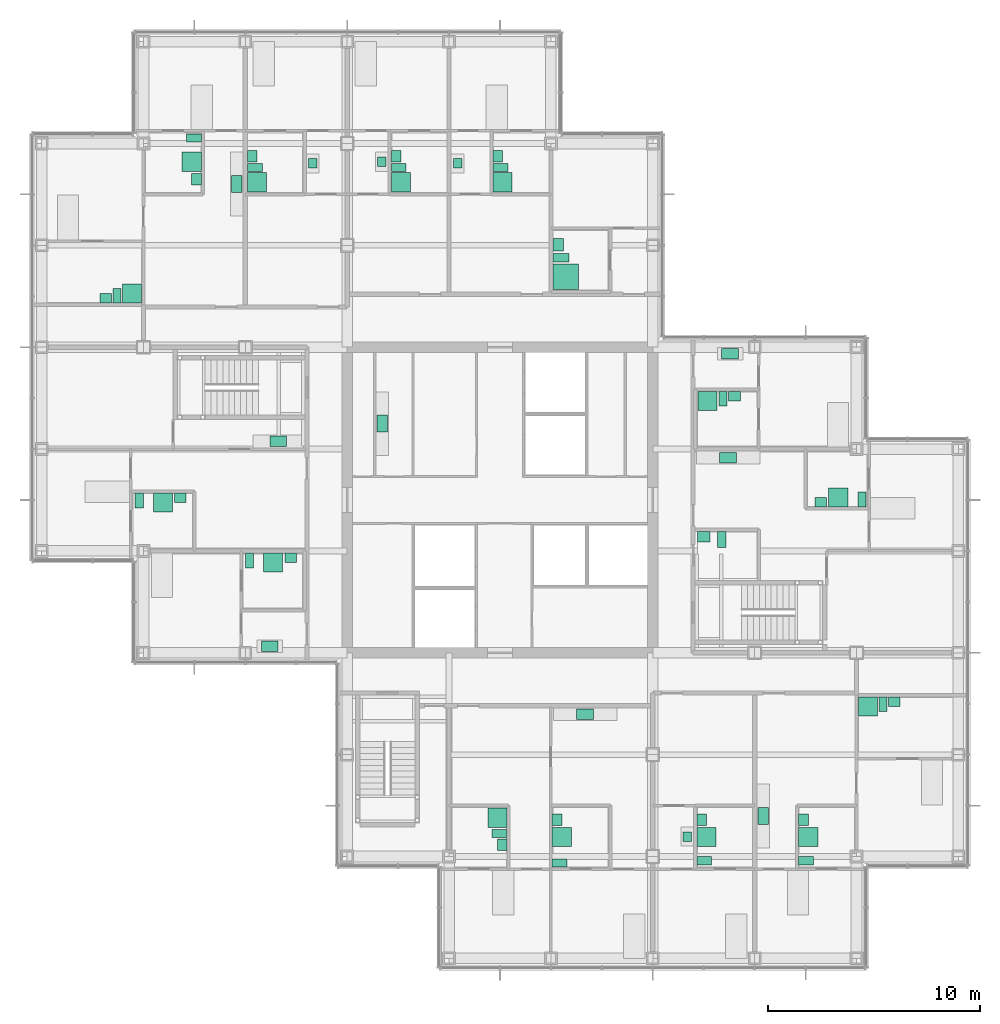
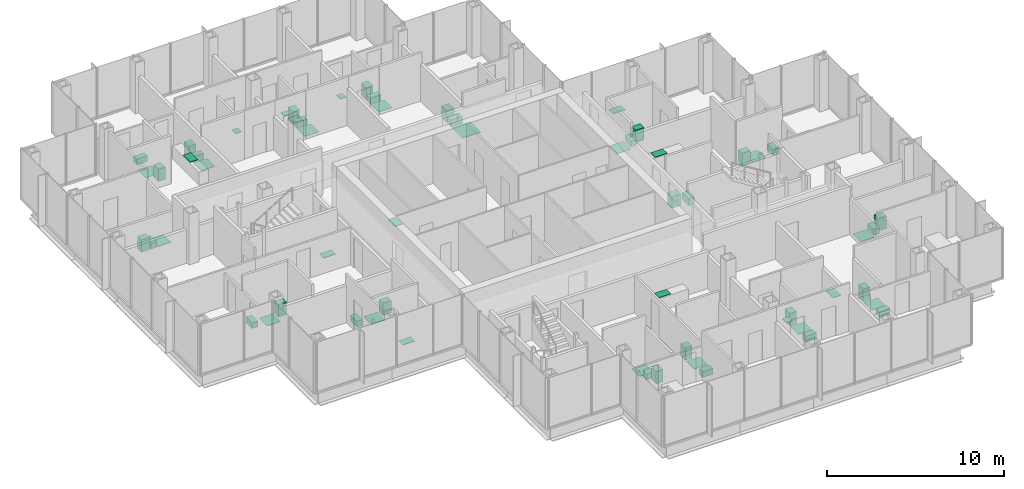
# One storey, part 19 of 20: 59 sanitary terminals.
"""IFC4 building model written with IfcOpenShell, lengths in metres."""

import ifcopenshell
import ifcopenshell.guid

model = None  # the IFC model being written
_history = None  # IfcOwnerHistory: only IFC2X3 demands one
_inside = {}  # id of a spatial element -> (the spatial element, [elements in it])
_under = {}  # id of a project, library or spatial element -> (it, [spatial elements below it])
_declared = {}  # id of a project -> (the project, [libraries it declares])
_typed = {}  # id of a type object -> (the type object, [elements of that type])
_made_of = {}  # id of a material, layer set ... -> (it, [elements and type objects made of it])


def new_model(schema):
    """Start an empty IFC model of exactly this schema.

    Asked for "IFC4X3", IfcOpenShell would pick the latest addendum, in which some entities
    have other attributes; the version numbers below select the first issue.
    IFC2X3 requires an IfcOwnerHistory on every rooted entity: one is made here for all.
    """
    global model, _history
    if schema == "IFC4X3":
        model = ifcopenshell.file(schema_version=(4, 3, 0, 0))
    else:
        model = ifcopenshell.file(schema=schema)
    _inside.clear()
    _under.clear()
    _declared.clear()
    _typed.clear()
    _made_of.clear()
    _history = None
    if model.schema == "IFC2X3":
        org = make("IfcOrganization", Name="unknown")
        user = make(
            "IfcPersonAndOrganization",
            ThePerson=make("IfcPerson", FamilyName="unknown"),
            TheOrganization=org,
        )
        app = make(
            "IfcApplication",
            ApplicationDeveloper=org,
            Version="unknown",
            ApplicationFullName="unknown",
            ApplicationIdentifier="unknown",
        )
        _history = make(
            "IfcOwnerHistory",
            OwningUser=user,
            OwningApplication=app,
            ChangeAction="ADDED",
            CreationDate=0,
        )
    return model


def make(cls, **values):
    """One entity of the class cls with the attributes given. An attribute that is None is left unset."""
    return model.create_entity(
        cls, **{name: value for name, value in values.items() if value is not None}
    )


def rooted(cls, **values):
    """An entity with a GlobalId (a new one), such as an element, a storey or a relation."""
    return make(cls, GlobalId=ifcopenshell.guid.new(), OwnerHistory=_history, **values)


def si_unit(unit_type, name, prefix=None):
    """IfcSIUnit, for example si_unit("LENGTHUNIT", "METRE", prefix="MILLI")."""
    return make("IfcSIUnit", UnitType=unit_type, Prefix=prefix, Name=name)


def assignment(units):
    """IfcUnitAssignment: the units of a project."""
    return None if units is None else make("IfcUnitAssignment", Units=units)


def point(xyz):
    """IfcCartesianPoint."""
    return None if xyz is None else make("IfcCartesianPoint", Coordinates=xyz)


def direction(xyz):
    """IfcDirection."""
    return None if xyz is None else make("IfcDirection", DirectionRatios=xyz)


def frame(location, z_axis=None, x_axis=None):
    """IfcAxis2Placement3D, a coordinate frame: its origin and axes. An axis left out is left unset."""
    return make(
        "IfcAxis2Placement3D",
        Location=point(location),
        Axis=direction(z_axis),
        RefDirection=direction(x_axis),
    )


def frame_2d(location, x_axis=None):
    """IfcAxis2Placement2D, a coordinate frame in the plane: its origin and x axis."""
    return make(
        "IfcAxis2Placement2D", Location=point(location), RefDirection=direction(x_axis)
    )


def origin():
    """The frame at (0, 0, 0) with its axes left unset."""
    return frame((0.0, 0.0, 0.0))


def origin_2d():
    """The frame at (0, 0) in the plane with its x axis left unset."""
    return frame_2d((0.0, 0.0))


def place(relative_to, where):
    """IfcLocalPlacement: puts the frame where relative to a parent placement (None: the world)."""
    return make(
        "IfcLocalPlacement", PlacementRelTo=relative_to, RelativePlacement=where
    )


def context(
    kind, dimensions, precision=None, world=None, true_north=None, identifier=None
):
    """IfcGeometricRepresentationContext, for example the 3D "Model" context."""
    return make(
        "IfcGeometricRepresentationContext",
        ContextIdentifier=identifier,
        ContextType=kind,
        CoordinateSpaceDimension=dimensions,
        Precision=precision,
        WorldCoordinateSystem=world,
        TrueNorth=true_north,
    )


def subcontext(parent, identifier, kind, view, scale=None):
    """IfcGeometricRepresentationSubContext, for example "Body" below "Model"."""
    return make(
        "IfcGeometricRepresentationSubContext",
        ContextIdentifier=identifier,
        ContextType=kind,
        ParentContext=parent,
        TargetScale=scale,
        TargetView=view,
    )


def project(units=None, contexts=None):
    """IfcProject with its units and contexts."""
    return rooted(
        "IfcProject",
        Name="project",
        RepresentationContexts=contexts,
        UnitsInContext=assignment(units),
    )


def spatial(cls, under=None, at=None, **own):
    """A site, building, storey or space (cls), placed at a placement, below another one or the project."""
    s = rooted(cls, ObjectPlacement=at, **own)
    if under is not None:
        _under.setdefault(under.id(), (under, []))[1].append(s)
    return s


def profile(cls, at=None, kind="AREA", **sizes):
    """A parametric profile (cls). Its sizes go by their IFC names, for example OverallWidth=200.0."""
    return make(cls, ProfileType=kind, Position=at, **sizes)


def rectangle(**sizes):
    """IfcRectangleProfileDef."""
    return profile("IfcRectangleProfileDef", **sizes)


def extrude(swept, where, along, depth):
    """IfcExtrudedAreaSolid: the profile swept, set in the frame where, extruded along a direction by depth."""
    return make(
        "IfcExtrudedAreaSolid",
        SweptArea=swept,
        Position=where,
        ExtrudedDirection=direction(along),
        Depth=depth,
    )


def shape(context_of_items, identifier, shape_type, items):
    """IfcShapeRepresentation: the items that make up one representation, for example the "Body"."""
    return make(
        "IfcShapeRepresentation",
        ContextOfItems=context_of_items,
        RepresentationIdentifier=identifier,
        RepresentationType=shape_type,
        Items=items,
    )


def material(Name=None, Category=None):
    """IfcMaterial."""
    return make("IfcMaterial", Name=Name, Category=Category)


def made_of(thing, what):
    """Note that an element or type object is made of a material, layer set ...; save() writes the relation."""
    if what is not None:
        _made_of.setdefault(what.id(), (what, []))[1].append(thing)
    return thing


def type_object(cls, material=None, **own):
    """A type object (cls), such as IfcWallType, which elements share."""
    return made_of(rooted(cls, **own), material)


def element(
    cls,
    number,
    at=None,
    inside=None,
    cuts=None,
    type_object=None,
    material=None,
    context=None,
    identifier="Body",
    shape_type=None,
    held_by="IfcProductDefinitionShape",
    body=None,
    shapes=None,
    **own,
):
    """One element of the class cls, such as IfcWall. Its Tag is "e" and its number.

    at: its placement. inside: the storey or other place that contains it. cuts: it is an
    opening in that element (IfcRelVoidsElement). A single representation is given by context,
    identifier, shape_type and body (its items); several are given by shapes. held_by: the class
    of the entity that holds the representations. save() writes the other relations.
    """
    e = rooted(cls, Tag="e%d" % number, ObjectPlacement=at, **own)
    if body is not None:
        shapes = [shape(context, identifier, shape_type, body)]
    if shapes is not None:
        e.Representation = make(held_by, Representations=shapes)
    if inside is not None:
        _inside.setdefault(inside.id(), (inside, []))[1].append(e)
    if cuts is not None:
        rooted(
            "IfcRelVoidsElement", RelatingBuildingElement=cuts, RelatedOpeningElement=e
        )
    if type_object is not None:
        _typed.setdefault(type_object.id(), (type_object, []))[1].append(e)
    return made_of(e, material)


def aggregate(whole, parts):
    """IfcRelAggregates: a whole, such as a stair, and the parts it consists of."""
    return rooted("IfcRelAggregates", RelatingObject=whole, RelatedObjects=parts)


def save(model, path):
    """Write the relations noted so far, then the file.

    IfcRelAggregates (storeys below a building ...), IfcRelContainedInSpatialStructure (elements
    in a storey), IfcRelDefinesByType, IfcRelAssociatesMaterial and IfcRelDeclares: one each for
    every whole, place, type object, material and project.
    """
    for whole, parts in _under.values():
        aggregate(whole, parts)
    for where, things in _inside.values():
        rooted(
            "IfcRelContainedInSpatialStructure",
            RelatedElements=things,
            RelatingStructure=where,
        )
    for kind, things in _typed.values():
        rooted("IfcRelDefinesByType", RelatedObjects=things, RelatingType=kind)
    for what, things in _made_of.values():
        rooted("IfcRelAssociatesMaterial", RelatedObjects=things, RelatingMaterial=what)
    for by, libraries in _declared.values():
        rooted("IfcRelDeclares", RelatingContext=by, RelatedDefinitions=libraries)
    model.write(path)


model = new_model("IFC4")

# Units and contexts
model_context = context("Model", 3, precision=1e-05, world=origin(), true_north=direction((0.0, 1.0)))
body_context = subcontext(model_context, "Body", "Model", "MODEL_VIEW")
ifc_project = project(units=[si_unit("LENGTHUNIT", "METRE"), si_unit("AREAUNIT", "SQUARE_METRE"), si_unit("VOLUMEUNIT", "CUBIC_METRE"), si_unit("PLANEANGLEUNIT", "RADIAN"), si_unit("MASSUNIT", "GRAM", prefix="KILO")], contexts=[model_context])

# Site, building, storey
site_placement = place(None, origin())
site = spatial("IfcSite", under=ifc_project, at=site_placement, CompositionType="ELEMENT")
building_placement = place(site_placement, origin())
building = spatial("IfcBuilding", under=site, at=building_placement, Name="Kvirike Care Tower", CompositionType="ELEMENT")
storey_placement = place(building_placement, frame((0.0, 0.0, 122.5)))
storey = spatial("IfcBuildingStorey", under=building, at=storey_placement, Name="L33", CompositionType="ELEMENT", Elevation=122.5)

# Sanitary terminals
ifc_material_1 = material(Name="Vitreous china", Category="ceramic")
sanitary_terminal_type_1 = type_object("IfcSanitaryTerminalType", Name="ACCESSIBLE WASH BASIN 600 x 500", PredefinedType="WASHHANDBASIN", material=ifc_material_1)
for number, where, z_axis, x_axis, name in (
    (1, (24.35205078125, 48.02490234375, 0.02001953125), (0.0, 0.0, 1.0), (0.0, 1.0, 0.0), "Accessible wash basin L33-032"),
    (2, (31.199951171875, 34.27294921875, 0.02001953125), (0.0, 0.0, 1.0), (1.0, 0.0, 0.0), "Accessible wash basin L33-056"),
):
    element("IfcSanitaryTerminal", number, at=place(storey_placement, frame(where, z_axis=z_axis, x_axis=x_axis)), inside=storey, type_object=sanitary_terminal_type_1, Name=name, PredefinedType="WASHHANDBASIN", context=body_context, shape_type="SweptSolid", body=[
        extrude(rectangle(XDim=0.60009765625, YDim=0.5, at=origin_2d()), origin(), (0.0, 0.0, 1.0), 0.800048828125),
    ])
ifc_material_2 = material(Name="Vitreous china", Category="ceramic")
sanitary_terminal_type_2 = type_object("IfcSanitaryTerminalType", Name="ACCESSIBLE WC PAN 400 x 750", PredefinedType="TOILETPAN", material=ifc_material_2)
for number, where, z_axis, x_axis, name in (
    (3, (24.47705078125, 47.425048828125, 0.02001953125), (0.0, 0.0, 1.0), (0.0, 1.0, 0.0), "Accessible WC pan L33-032"),
    (4, (32.050048828125, 34.14794921875, 0.02001953125), (0.0, 0.0, 1.0), (1.0, 0.0, 0.0), "Accessible WC pan L33-056"),
):
    element("IfcSanitaryTerminal", number, at=place(storey_placement, frame(where, z_axis=z_axis, x_axis=x_axis)), inside=storey, type_object=sanitary_terminal_type_2, Name=name, PredefinedType="TOILETPAN", context=body_context, shape_type="SweptSolid", body=[
        extrude(rectangle(XDim=0.39990234375, YDim=0.75, at=origin_2d()), origin(), (0.0, 0.0, 1.0), 0.47998046875),
    ])
ifc_material_3 = material(Name="Stainless steel", Category="steel")
sanitary_terminal_type_3 = type_object("IfcSanitaryTerminalType", Name="KITCHEN SINK 450 x 400", PredefinedType="SINK", material=ifc_material_3)
for number, where, z_axis, x_axis, name in (
    (5, (12.777099609375, 51.860107421875, 0.89990234375), (0.0, 0.0, 1.0), (0.0, 1.0, 0.0), "Kitchen sink L33-014"),
    (6, (19.60205078125, 51.860107421875, 0.89990234375), (0.0, 0.0, 1.0), (0.0, 1.0, 0.0), "Kitchen sink L33-036"),
    (7, (16.02294921875, 51.93994140625, 0.89990234375), (0.0, 0.0, 1.0), (0.0, -1.0, 0.0), "Kitchen sink L33-040"),
    (8, (30.423095703125, 20.139892578125, 0.89990234375), (0.0, 0.0, 1.0), (0.0, -1.0, 0.0), "Kitchen sink L33-045"),
):
    element("IfcSanitaryTerminal", number, at=place(storey_placement, frame(where, z_axis=z_axis, x_axis=x_axis)), inside=storey, type_object=sanitary_terminal_type_3, Name=name, PredefinedType="SINK", context=body_context, shape_type="SweptSolid", body=[
        extrude(rectangle(XDim=0.449951171875, YDim=0.39990234375, at=origin_2d()), origin(), (0.0, 0.0, 1.0), 0.030029296875),
    ])
ifc_material_4 = material(Name="Stainless steel", Category="steel")
sanitary_terminal_type_4 = type_object("IfcSanitaryTerminalType", Name="KITCHEN SINK 800 x 500", PredefinedType="SINK", material=ifc_material_4)
for number, where, z_axis, x_axis, name in (
    (9, (11.14990234375, 38.761962890625, 0.89990234375), (0.0, 0.0, 1.0), (-1.0, 0.0, 0.0), "Kitchen sink L33-006"),
    (10, (10.75, 29.10205078125, 0.89990234375), (0.0, 0.0, 1.0), (-1.0, 0.0, 0.0), "Kitchen sink L33-010"),
    (11, (9.197998046875, 50.889892578125, 0.89990234375), (0.0, 0.0, 1.0), (0.0, -1.0, 0.0), "Kitchen sink L33-020"),
    (12, (25.610107421875, 25.89794921875, 0.89990234375), (0.0, 0.0, 1.0), (1.0, 0.0, 0.0), "Kitchen sink L33-029"),
    (13, (34.001953125, 21.110107421875, 0.89990234375), (0.0, 0.0, 1.0), (0.0, 1.0, 0.0), "Kitchen sink L33-051"),
    (14, (32.35009765625, 37.998046875, 0.89990234375), (0.0, 0.0, 1.0), (1.0, 0.0, 0.0), "Kitchen sink L33-058"),
    (15, (32.449951171875, 42.89794921875, 0.89990234375), (0.0, 0.0, 1.0), (1.0, 0.0, 0.0), "Kitchen sink L33-061"),
    (16, (16.052001953125, 39.60009765625, 0.89990234375), (0.0, 0.0, 1.0), (0.0, 1.0, 0.0), "Kitchen sink L33-068"),
):
    element("IfcSanitaryTerminal", number, at=place(storey_placement, frame(where, z_axis=z_axis, x_axis=x_axis)), inside=storey, type_object=sanitary_terminal_type_4, Name=name, PredefinedType="SINK", context=body_context, shape_type="SweptSolid", body=[
        extrude(rectangle(XDim=0.800048828125, YDim=0.5, at=origin_2d()), origin(), (0.0, 0.0, 1.0), 0.030029296875),
    ])
ifc_material_5 = material(Name="Stainless steel", Category="steel")
sanitary_terminal_type_5 = type_object("IfcSanitaryTerminalType", Name="LEVEL-ACCESS SHOWER 1200 x 1200", PredefinedType="SHOWER", material=ifc_material_5)
sanitary_terminal_placement = place(storey_placement, frame((24.701904296875, 46.52490234375, 0.02001953125), z_axis=(0.0, 0.0, 1.0), x_axis=(0.0, 1.0, 0.0)))
element("IfcSanitaryTerminal", 17, at=sanitary_terminal_placement, inside=storey, type_object=sanitary_terminal_type_5, Name="Level-access shower L33-032", PredefinedType="SHOWER", context=body_context, shape_type="SweptSolid", body=[
    extrude(rectangle(XDim=1.199951171875, YDim=1.199951171875, at=origin_2d()), origin(), (0.0, 0.0, 1.0), 0.02001953125),
])
ifc_material_6 = material(Name="Stainless steel", Category="steel")
sanitary_terminal_type_6 = type_object("IfcSanitaryTerminalType", Name="LEVEL-ACCESS SHOWER 900 x 900", PredefinedType="SHOWER", material=ifc_material_6)
for number, where, z_axis, x_axis, name in (
    (18, (5.7099609375, 35.873046875, 0.02001953125), (0.0, 0.0, 1.0), (1.0, 0.0, 0.0), "Level-access shower L33-005"),
    (19, (10.909912109375, 33.048095703125, 0.02001953125), (0.0, 0.0, 1.0), (1.0, 0.0, 0.0), "Level-access shower L33-009"),
    (20, (10.152099609375, 50.97509765625, 0.02001953125), (0.0, 0.0, 1.0), (0.0, 1.0, 0.0), "Level-access shower L33-013"),
    (21, (7.072998046875, 51.93994140625, 0.02001953125), (0.0, 0.0, 1.0), (0.0, -1.0, 0.0), "Level-access shower L33-018"),
    (22, (4.25, 45.72705078125, 0.02001953125), (0.0, 0.0, 1.0), (-1.0, 0.0, 0.0), "Level-access shower L33-019"),
    (23, (21.472900390625, 21.02490234375, 0.02001953125), (0.0, 0.0, 1.0), (0.0, -1.0, 0.0), "Level-access shower L33-026"),
    (24, (24.511962890625, 20.110107421875, 0.02001953125), (0.0, 0.0, 1.0), (0.0, 1.0, 0.0), "Level-access shower L33-027"),
    (25, (21.72705078125, 50.97509765625, 0.02001953125), (0.0, 0.0, 1.0), (0.0, 1.0, 0.0), "Level-access shower L33-035"),
    (26, (16.927001953125, 50.97509765625, 0.02001953125), (0.0, 0.0, 1.0), (0.0, 1.0, 0.0), "Level-access shower L33-039"),
    (27, (31.326904296875, 20.110107421875, 0.02001953125), (0.0, 0.0, 1.0), (0.0, 1.0, 0.0), "Level-access shower L33-044"),
    (28, (36.126953125, 20.110107421875, 0.02001953125), (0.0, 0.0, 1.0), (0.0, 1.0, 0.0), "Level-access shower L33-049"),
    (29, (38.949951171875, 26.27294921875, 0.02001953125), (0.0, 0.0, 1.0), (1.0, 0.0, 0.0), "Level-access shower L33-050"),
    (30, (37.5400390625, 36.126953125, 0.02001953125), (0.0, 0.0, 1.0), (-1.0, 0.0, 0.0), "Level-access shower L33-057"),
    (31, (31.375, 40.673095703125, 0.02001953125), (0.0, 0.0, 1.0), (1.0, 0.0, 0.0), "Level-access shower L33-060"),
):
    element("IfcSanitaryTerminal", number, at=place(storey_placement, frame(where, z_axis=z_axis, x_axis=x_axis)), inside=storey, type_object=sanitary_terminal_type_6, Name=name, PredefinedType="SHOWER", context=body_context, shape_type="SweptSolid", body=[
        extrude(rectangle(XDim=0.89990234375, YDim=0.89990234375, at=origin_2d()), origin(), (0.0, 0.0, 1.0), 0.02001953125),
    ])
ifc_material_7 = material(Name="Vitreous china", Category="ceramic")
sanitary_terminal_type_7 = type_object("IfcSanitaryTerminalType", Name="WASH BASIN 550 x 450", PredefinedType="WASHHANDBASIN", material=ifc_material_7)
for number, where, z_axis, x_axis, name in (
    (32, (6.534912109375, 36.097900390625, 0.02001953125), (0.0, 0.0, 1.0), (1.0, 0.0, 0.0), "Wash basin L33-005"),
    (33, (11.735107421875, 33.27294921875, 0.02001953125), (0.0, 0.0, 1.0), (1.0, 0.0, 0.0), "Wash basin L33-009"),
    (34, (9.927001953125, 52.199951171875, 0.02001953125), (0.0, 0.0, 1.0), (0.0, 1.0, 0.0), "Wash basin L33-013"),
    (35, (7.298095703125, 51.114990234375, 0.02001953125), (0.0, 0.0, 1.0), (0.0, -1.0, 0.0), "Wash basin L33-018"),
    (36, (3.02490234375, 45.501953125, 0.02001953125), (0.0, 0.0, 1.0), (-1.0, 0.0, 0.0), "Wash basin L33-019"),
    (37, (21.697998046875, 19.75, 0.02001953125), (0.0, 0.0, 1.0), (0.0, -1.0, 0.0), "Wash basin L33-026"),
    (38, (24.287109375, 20.93505859375, 0.02001953125), (0.0, 0.0, 1.0), (0.0, 1.0, 0.0), "Wash basin L33-027"),
    (39, (21.501953125, 52.199951171875, 0.02001953125), (0.0, 0.0, 1.0), (0.0, 1.0, 0.0), "Wash basin L33-035"),
    (40, (16.701904296875, 52.199951171875, 0.02001953125), (0.0, 0.0, 1.0), (0.0, 1.0, 0.0), "Wash basin L33-039"),
    (41, (31.10205078125, 20.93505859375, 0.02001953125), (0.0, 0.0, 1.0), (0.0, 1.0, 0.0), "Wash basin L33-044"),
    (42, (35.902099609375, 20.93505859375, 0.02001953125), (0.0, 0.0, 1.0), (0.0, 1.0, 0.0), "Wash basin L33-049"),
    (43, (40.175048828125, 26.498046875, 0.02001953125), (0.0, 0.0, 1.0), (1.0, 0.0, 0.0), "Wash basin L33-050"),
    (44, (36.715087890625, 35.902099609375, 0.02001953125), (0.0, 0.0, 1.0), (-1.0, 0.0, 0.0), "Wash basin L33-057"),
    (45, (32.64990234375, 40.89794921875, 0.02001953125), (0.0, 0.0, 1.0), (1.0, 0.0, 0.0), "Wash basin L33-060"),
):
    element("IfcSanitaryTerminal", number, at=place(storey_placement, frame(where, z_axis=z_axis, x_axis=x_axis)), inside=storey, type_object=sanitary_terminal_type_7, Name=name, PredefinedType="WASHHANDBASIN", context=body_context, shape_type="SweptSolid", body=[
        extrude(rectangle(XDim=0.550048828125, YDim=0.449951171875, at=origin_2d()), origin(), (0.0, 0.0, 1.0), 0.85009765625),
    ])
ifc_material_8 = material(Name="Vitreous china", Category="ceramic")
sanitary_terminal_type_8 = type_object("IfcSanitaryTerminalType", Name="WC PAN 380 x 700", PredefinedType="TOILETPAN", material=ifc_material_8)
for number, where, z_axis, x_axis, name in (
    (46, (4.60009765625, 35.972900390625, 0.02001953125), (0.0, 0.0, 1.0), (1.0, 0.0, 0.0), "WC pan L33-005"),
    (47, (9.800048828125, 33.14794921875, 0.02001953125), (0.0, 0.0, 1.0), (1.0, 0.0, 0.0), "WC pan L33-009"),
    (48, (10.052001953125, 51.6650390625, 0.02001953125), (0.0, 0.0, 1.0), (0.0, 1.0, 0.0), "WC pan L33-013"),
    (49, (7.173095703125, 53.050048828125, 0.02001953125), (0.0, 0.0, 1.0), (0.0, -1.0, 0.0), "WC pan L33-018"),
    (50, (3.56005859375, 45.626953125, 0.02001953125), (0.0, 0.0, 1.0), (-1.0, 0.0, 0.0), "WC pan L33-019"),
    (51, (21.572998046875, 20.284912109375, 0.02001953125), (0.0, 0.0, 1.0), (0.0, -1.0, 0.0), "WC pan L33-026"),
    (52, (24.412109375, 18.89990234375, 0.02001953125), (0.0, 0.0, 1.0), (0.0, 1.0, 0.0), "WC pan L33-027"),
    (53, (21.626953125, 51.6650390625, 0.02001953125), (0.0, 0.0, 1.0), (0.0, 1.0, 0.0), "WC pan L33-035"),
    (54, (16.826904296875, 51.6650390625, 0.02001953125), (0.0, 0.0, 1.0), (0.0, 1.0, 0.0), "WC pan L33-039"),
    (55, (31.22705078125, 19.0, 0.02001953125), (0.0, 0.0, 1.0), (0.0, 1.0, 0.0), "WC pan L33-044"),
    (56, (36.027099609375, 19.0, 0.02001953125), (0.0, 0.0, 1.0), (0.0, 1.0, 0.0), "WC pan L33-049"),
    (57, (39.639892578125, 26.373046875, 0.02001953125), (0.0, 0.0, 1.0), (1.0, 0.0, 0.0), "WC pan L33-050"),
    (58, (38.64990234375, 36.027099609375, 0.02001953125), (0.0, 0.0, 1.0), (-1.0, 0.0, 0.0), "WC pan L33-057"),
    (59, (32.114990234375, 40.77294921875, 0.02001953125), (0.0, 0.0, 1.0), (1.0, 0.0, 0.0), "WC pan L33-060"),
):
    element("IfcSanitaryTerminal", number, at=place(storey_placement, frame(where, z_axis=z_axis, x_axis=x_axis)), inside=storey, type_object=sanitary_terminal_type_8, Name=name, PredefinedType="TOILETPAN", context=body_context, shape_type="SweptSolid", body=[
        extrude(rectangle(XDim=0.3798828125, YDim=0.699951171875, at=origin_2d()), origin(), (0.0, 0.0, 1.0), 0.39990234375),
    ])

save(model, "model.ifc")
